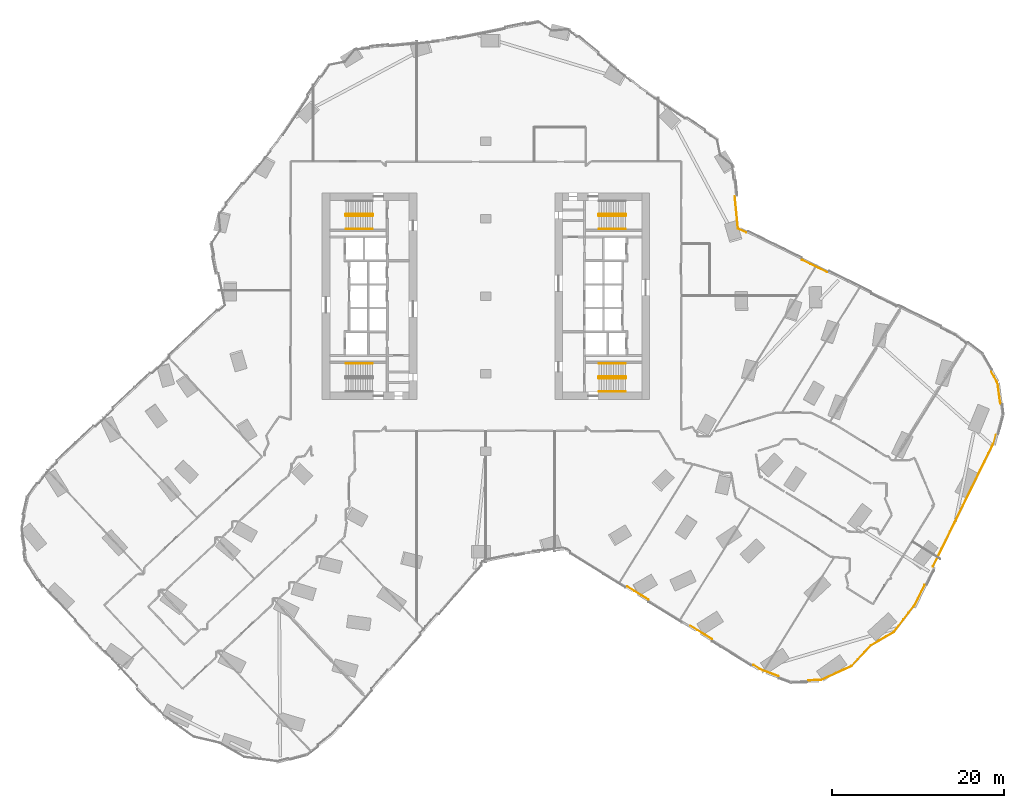
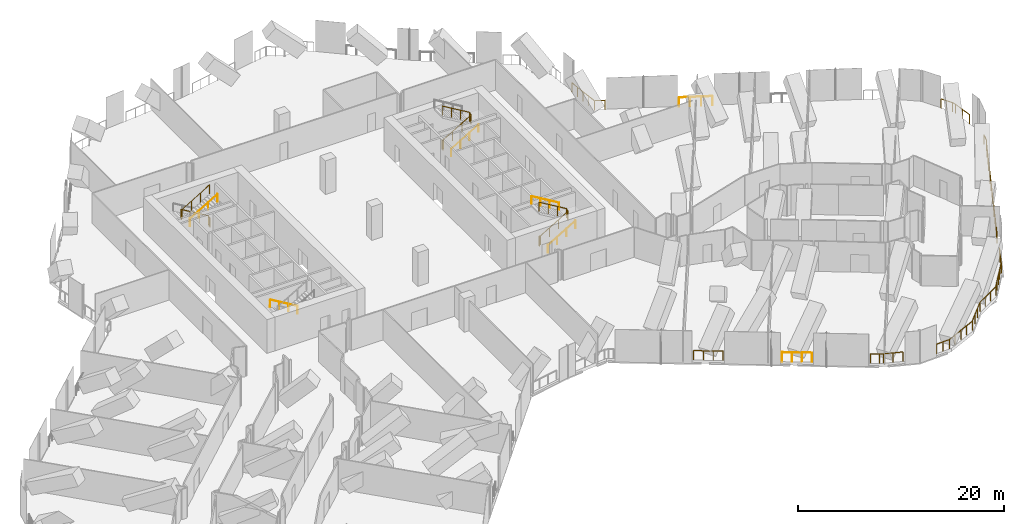
# One storey, part 30 of 31: 18 railings.
"""IFC4 building model written with IfcOpenShell, lengths in metres."""

from ifc_helpers import new_model, si_unit, direction, frame, origin, origin_2d, place, context, subcontext, project, spatial, circle, extrude, material, type_object, element, save


model = new_model("IFC4")

# Units and contexts
model_context = context("Model", 3, precision=1e-05, world=origin(), true_north=direction((0.0, 1.0)))
body_context = subcontext(model_context, "Body", "Model", "MODEL_VIEW")
ifc_project = project(units=[si_unit("LENGTHUNIT", "METRE"), si_unit("AREAUNIT", "SQUARE_METRE"), si_unit("VOLUMEUNIT", "CUBIC_METRE"), si_unit("PLANEANGLEUNIT", "RADIAN"), si_unit("MASSUNIT", "GRAM", prefix="KILO")], contexts=[model_context])

# Site, building, storey
site_placement = place(None, origin())
site = spatial("IfcSite", under=ifc_project, at=site_placement, CompositionType="ELEMENT")
building_placement = place(site_placement, origin())
building = spatial("IfcBuilding", under=site, at=building_placement, Name="Orlundy Tower", CompositionType="ELEMENT")
storey_placement = place(building_placement, frame((0.0, 0.0, 54.800048828125)))
storey = spatial("IfcBuildingStorey", under=building, at=storey_placement, Name="L12", CompositionType="ELEMENT", Elevation=54.800048828125)

# Railings
ifc_material_1 = material(Name="Steel balustrade", Category="steel")
railing_type_1 = type_object("IfcRailingType", Name="Stair Guard 1100", PredefinedType="GUARDRAIL", material=ifc_material_1)
railing_1_placement = place(storey_placement, frame((-13.090087890625, 9.5, 0.0)))
element("IfcRailing", 1, at=railing_1_placement, inside=storey, type_object=railing_type_1, Name="L12 ST-W1 stair guard 1", PredefinedType="GUARDRAIL", context=body_context, shape_type="SweptSolid", body=[
    extrude(circle(Radius=0.02392578125, at=origin_2d()), frame((0.0, 0.0, 1.076171875), z_axis=(0.0, -1.0, 0.0), x_axis=(1.0, 0.0, 0.0)), (0.0, 0.0, 1.0), 0.14990234375),
    extrude(circle(Radius=0.02392578125, at=origin_2d()), frame((0.0, -0.14990234375, 1.076171875), z_axis=(-0.187996396626, 0.754750239394, 0.628497757347), x_axis=(-0.970351222016, -0.241699205484, 0.0)), (0.0, 0.0, 1.0), 0.264892578125),
    extrude(circle(Radius=0.02392578125, at=origin_2d()), frame((-0.0498046875, 0.050048828125, 1.24267578125), z_axis=(-0.85927862911, 0.0, 0.511507807912), x_axis=(0.0, -1.0, 0.0)), (0.0, 0.0, 1.0), 3.58447265625),
    extrude(circle(Radius=0.02392578125, at=origin_2d()), frame((-3.1298828125, 0.050048828125, 3.076171875), z_axis=(-0.707106781187, -0.707106781187, 0.0), x_axis=(0.707106781187, -0.707106781187, 0.0)), (0.0, 0.0, 1.0), 0.07080078125),
    extrude(circle(Radius=0.02392578125, at=origin_2d()), frame((-3.179931640625, 0.0, 3.076171875), z_axis=(0.0, -1.0, 0.0), x_axis=(1.0, 0.0, 0.0)), (0.0, 0.0, 1.0), 0.14990234375),
    extrude(circle(Radius=0.02392578125, at=origin_2d()), frame((-3.179931640625, -0.14990234375, 3.076171875), z_axis=(0.27662974545, -0.27662974545, 0.920299933644), x_axis=(0.707106781187, 0.707106781187, 0.0)), (0.0, 0.0, 1.0), 0.180908203125),
    extrude(circle(Radius=0.02392578125, at=origin_2d()), frame((-3.1298828125, -0.199951171875, 3.24267578125), z_axis=(0.85927862911, 0.0, 0.511507807912), x_axis=(0.0, 1.0, 0.0)), (0.0, 0.0, 1.0), 3.58447265625),
    extrude(circle(Radius=0.02099609375, at=origin_2d()), origin(), (0.0, 0.0, 1.0), 1.052001953125),
    extrude(circle(Radius=0.02099609375, at=origin_2d()), frame((0.0, -0.14990234375, 0.0)), (0.0, 0.0, 1.0), 1.052001953125),
    extrude(circle(Radius=0.02099609375, at=origin_2d()), frame((-0.0498046875, 0.050048828125, 0.16650390625)), (0.0, 0.0, 1.0), 1.052001953125),
    extrude(circle(Radius=0.02099609375, at=origin_2d()), frame((-1.076416015625, 0.050048828125, 0.777587890625)), (0.0, 0.0, 1.0), 1.052001953125),
    extrude(circle(Radius=0.02099609375, at=origin_2d()), frame((-2.103271484375, 0.050048828125, 1.388916015625)), (0.0, 0.0, 1.0), 1.052001953125),
    extrude(circle(Radius=0.02099609375, at=origin_2d()), frame((-3.1298828125, 0.050048828125, 2.0)), (0.0, 0.0, 1.0), 1.052001953125),
    extrude(circle(Radius=0.02099609375, at=origin_2d()), frame((-3.179931640625, 0.0, 2.0)), (0.0, 0.0, 1.0), 1.052001953125),
    extrude(circle(Radius=0.02099609375, at=origin_2d()), frame((-3.179931640625, -0.14990234375, 2.0)), (0.0, 0.0, 1.0), 1.052001953125),
    extrude(circle(Radius=0.02099609375, at=origin_2d()), frame((-3.1298828125, -0.199951171875, 2.16650390625)), (0.0, 0.0, 1.0), 1.052001953125),
    extrude(circle(Radius=0.02099609375, at=origin_2d()), frame((-2.103271484375, -0.199951171875, 2.777587890625)), (0.0, 0.0, 1.0), 1.052001953125),
    extrude(circle(Radius=0.02099609375, at=origin_2d()), frame((-1.076416015625, -0.199951171875, 3.388916015625)), (0.0, 0.0, 1.0), 1.052001953125),
    extrude(circle(Radius=0.02099609375, at=origin_2d()), frame((-0.0498046875, -0.199951171875, 4.0)), (0.0, 0.0, 1.0), 1.052001953125),
])
railing_2_placement = place(storey_placement, frame((13.090087890625, -9.5, 0.0)))
element("IfcRailing", 2, at=railing_2_placement, inside=storey, type_object=railing_type_1, Name="L12 ST-E1 stair guard 1", PredefinedType="GUARDRAIL", context=body_context, shape_type="SweptSolid", body=[
    extrude(circle(Radius=0.02392578125, at=origin_2d()), frame((0.0, 0.0, 1.076171875), z_axis=(0.0, 1.0, 0.0), x_axis=(-1.0, 0.0, 0.0)), (0.0, 0.0, 1.0), 0.14990234375),
    extrude(circle(Radius=0.02392578125, at=origin_2d()), frame((0.0, 0.14990234375, 1.076171875), z_axis=(0.187996396626, -0.754750239394, 0.628497757347), x_axis=(0.970351222016, 0.241699205484, 0.0)), (0.0, 0.0, 1.0), 0.264892578125),
    extrude(circle(Radius=0.02392578125, at=origin_2d()), frame((0.0498046875, -0.050048828125, 1.24267578125), z_axis=(0.85927862911, 0.0, 0.511507807912), x_axis=(0.0, 1.0, 0.0)), (0.0, 0.0, 1.0), 3.58447265625),
    extrude(circle(Radius=0.02392578125, at=origin_2d()), frame((3.1298828125, -0.050048828125, 3.076171875), z_axis=(0.707106781187, 0.707106781187, 0.0), x_axis=(-0.707106781187, 0.707106781187, 0.0)), (0.0, 0.0, 1.0), 0.07080078125),
    extrude(circle(Radius=0.02392578125, at=origin_2d()), frame((3.179931640625, 0.0, 3.076171875), z_axis=(0.0, 1.0, 0.0), x_axis=(-1.0, 0.0, 0.0)), (0.0, 0.0, 1.0), 0.14990234375),
    extrude(circle(Radius=0.02392578125, at=origin_2d()), frame((3.179931640625, 0.14990234375, 3.076171875), z_axis=(-0.27662974545, 0.27662974545, 0.920299933644), x_axis=(-0.707106781187, -0.707106781187, 0.0)), (0.0, 0.0, 1.0), 0.180908203125),
    extrude(circle(Radius=0.02392578125, at=origin_2d()), frame((3.1298828125, 0.199951171875, 3.24267578125), z_axis=(-0.85927862911, 0.0, 0.511507807912), x_axis=(0.0, -1.0, 0.0)), (0.0, 0.0, 1.0), 3.58447265625),
    extrude(circle(Radius=0.02099609375, at=origin_2d()), origin(), (0.0, 0.0, 1.0), 1.052001953125),
    extrude(circle(Radius=0.02099609375, at=origin_2d()), frame((0.0, 0.14990234375, 0.0)), (0.0, 0.0, 1.0), 1.052001953125),
    extrude(circle(Radius=0.02099609375, at=origin_2d()), frame((0.0498046875, -0.050048828125, 0.16650390625)), (0.0, 0.0, 1.0), 1.052001953125),
    extrude(circle(Radius=0.02099609375, at=origin_2d()), frame((1.076416015625, -0.050048828125, 0.777587890625)), (0.0, 0.0, 1.0), 1.052001953125),
    extrude(circle(Radius=0.02099609375, at=origin_2d()), frame((2.103271484375, -0.050048828125, 1.388916015625)), (0.0, 0.0, 1.0), 1.052001953125),
    extrude(circle(Radius=0.02099609375, at=origin_2d()), frame((3.1298828125, -0.050048828125, 2.0)), (0.0, 0.0, 1.0), 1.052001953125),
    extrude(circle(Radius=0.02099609375, at=origin_2d()), frame((3.179931640625, 0.0, 2.0)), (0.0, 0.0, 1.0), 1.052001953125),
    extrude(circle(Radius=0.02099609375, at=origin_2d()), frame((3.179931640625, 0.14990234375, 2.0)), (0.0, 0.0, 1.0), 1.052001953125),
    extrude(circle(Radius=0.02099609375, at=origin_2d()), frame((3.1298828125, 0.199951171875, 2.16650390625)), (0.0, 0.0, 1.0), 1.052001953125),
    extrude(circle(Radius=0.02099609375, at=origin_2d()), frame((2.103271484375, 0.199951171875, 2.777587890625)), (0.0, 0.0, 1.0), 1.052001953125),
    extrude(circle(Radius=0.02099609375, at=origin_2d()), frame((1.076416015625, 0.199951171875, 3.388916015625)), (0.0, 0.0, 1.0), 1.052001953125),
    extrude(circle(Radius=0.02099609375, at=origin_2d()), frame((0.0498046875, 0.199951171875, 4.0)), (0.0, 0.0, 1.0), 1.052001953125),
])
railing_3_placement = place(storey_placement, frame((13.090087890625, 9.35009765625, 0.0)))
element("IfcRailing", 3, at=railing_3_placement, inside=storey, type_object=railing_type_1, Name="L12 ST-E2 stair guard 1", PredefinedType="GUARDRAIL", context=body_context, shape_type="SweptSolid", body=[
    extrude(circle(Radius=0.02392578125, at=origin_2d()), frame((0.0, 0.0, 1.076171875), z_axis=(0.0, 1.0, 0.0), x_axis=(-1.0, 0.0, 0.0)), (0.0, 0.0, 1.0), 0.14990234375),
    extrude(circle(Radius=0.02392578125, at=origin_2d()), frame((0.0, 0.14990234375, 1.076171875), z_axis=(0.187996396626, -0.754750239394, 0.628497757347), x_axis=(0.970351222016, 0.241699205484, 0.0)), (0.0, 0.0, 1.0), 0.264892578125),
    extrude(circle(Radius=0.02392578125, at=origin_2d()), frame((0.0498046875, -0.050048828125, 1.24267578125), z_axis=(0.85927862911, 0.0, 0.511507807912), x_axis=(0.0, 1.0, 0.0)), (0.0, 0.0, 1.0), 3.58447265625),
    extrude(circle(Radius=0.02392578125, at=origin_2d()), frame((3.1298828125, -0.050048828125, 3.076171875), z_axis=(0.707106781187, 0.707106781187, 0.0), x_axis=(-0.707106781187, 0.707106781187, 0.0)), (0.0, 0.0, 1.0), 0.07080078125),
    extrude(circle(Radius=0.02392578125, at=origin_2d()), frame((3.179931640625, 0.0, 3.076171875), z_axis=(0.0, 1.0, 0.0), x_axis=(-1.0, 0.0, 0.0)), (0.0, 0.0, 1.0), 0.14990234375),
    extrude(circle(Radius=0.02392578125, at=origin_2d()), frame((3.179931640625, 0.14990234375, 3.076171875), z_axis=(-0.27662974545, 0.27662974545, 0.920299933644), x_axis=(-0.707106781187, -0.707106781187, 0.0)), (0.0, 0.0, 1.0), 0.180908203125),
    extrude(circle(Radius=0.02392578125, at=origin_2d()), frame((3.1298828125, 0.199951171875, 3.24267578125), z_axis=(-0.85927862911, 0.0, 0.511507807912), x_axis=(0.0, -1.0, 0.0)), (0.0, 0.0, 1.0), 3.58447265625),
    extrude(circle(Radius=0.02099609375, at=origin_2d()), origin(), (0.0, 0.0, 1.0), 1.052001953125),
    extrude(circle(Radius=0.02099609375, at=origin_2d()), frame((0.0, 0.14990234375, 0.0)), (0.0, 0.0, 1.0), 1.052001953125),
    extrude(circle(Radius=0.02099609375, at=origin_2d()), frame((0.0498046875, -0.050048828125, 0.16650390625)), (0.0, 0.0, 1.0), 1.052001953125),
    extrude(circle(Radius=0.02099609375, at=origin_2d()), frame((1.076416015625, -0.050048828125, 0.777587890625)), (0.0, 0.0, 1.0), 1.052001953125),
    extrude(circle(Radius=0.02099609375, at=origin_2d()), frame((2.103271484375, -0.050048828125, 1.388916015625)), (0.0, 0.0, 1.0), 1.052001953125),
    extrude(circle(Radius=0.02099609375, at=origin_2d()), frame((3.1298828125, -0.050048828125, 2.0)), (0.0, 0.0, 1.0), 1.052001953125),
    extrude(circle(Radius=0.02099609375, at=origin_2d()), frame((3.179931640625, 0.0, 2.0)), (0.0, 0.0, 1.0), 1.052001953125),
    extrude(circle(Radius=0.02099609375, at=origin_2d()), frame((3.179931640625, 0.14990234375, 2.0)), (0.0, 0.0, 1.0), 1.052001953125),
    extrude(circle(Radius=0.02099609375, at=origin_2d()), frame((3.1298828125, 0.199951171875, 2.16650390625)), (0.0, 0.0, 1.0), 1.052001953125),
    extrude(circle(Radius=0.02099609375, at=origin_2d()), frame((2.103271484375, 0.199951171875, 2.777587890625)), (0.0, 0.0, 1.0), 1.052001953125),
    extrude(circle(Radius=0.02099609375, at=origin_2d()), frame((1.076416015625, 0.199951171875, 3.388916015625)), (0.0, 0.0, 1.0), 1.052001953125),
    extrude(circle(Radius=0.02099609375, at=origin_2d()), frame((0.0498046875, 0.199951171875, 4.0)), (0.0, 0.0, 1.0), 1.052001953125),
])
ifc_material_2 = material(Name="Steel handrail", Category="steel")
railing_type_2 = type_object("IfcRailingType", Name="Stair Handrail 900", PredefinedType="HANDRAIL", material=ifc_material_2)
railing_4_placement = place(storey_placement, frame((-16.219970703125, 7.800048828125, 2.16650390625)))
element("IfcRailing", 4, at=railing_4_placement, inside=storey, type_object=railing_type_2, Name="L12 ST-W1 stair handrail 2", PredefinedType="HANDRAIL", context=body_context, shape_type="SweptSolid", body=[
    extrude(circle(Radius=0.02392578125, at=origin_2d()), frame((0.0, 0.0, 0.8759765625), z_axis=(0.85927862911, 0.0, 0.511507807912), x_axis=(0.0, 1.0, 0.0)), (0.0, 0.0, 1.0), 3.58447265625),
    extrude(circle(Radius=0.02099609375, at=origin_2d()), origin(), (0.0, 0.0, 1.0), 0.851806640625),
    extrude(circle(Radius=0.02099609375, at=origin_2d()), frame((1.026611328125, 0.0, 0.611083984375)), (0.0, 0.0, 1.0), 0.851806640625),
    extrude(circle(Radius=0.02099609375, at=origin_2d()), frame((2.053466796875, 0.0, 1.222412109375)), (0.0, 0.0, 1.0), 0.851806640625),
    extrude(circle(Radius=0.02099609375, at=origin_2d()), frame((3.080078125, 0.0, 1.83349609375)), (0.0, 0.0, 1.0), 0.851806640625),
])
railing_5_placement = place(storey_placement, frame((-13.139892578125, -7.800048828125, 0.16650390625)))
element("IfcRailing", 5, at=railing_5_placement, inside=storey, type_object=railing_type_2, Name="L12 ST-W2 stair handrail 1", PredefinedType="HANDRAIL", context=body_context, shape_type="SweptSolid", body=[
    extrude(circle(Radius=0.02392578125, at=origin_2d()), frame((0.0, 0.0, 0.8759765625), z_axis=(-0.85927862911, 0.0, 0.511507807912), x_axis=(0.0, -1.0, 0.0)), (0.0, 0.0, 1.0), 3.58447265625),
    extrude(circle(Radius=0.02099609375, at=origin_2d()), origin(), (0.0, 0.0, 1.0), 0.851806640625),
    extrude(circle(Radius=0.02099609375, at=origin_2d()), frame((-1.026611328125, 0.0, 0.611083984375)), (0.0, 0.0, 1.0), 0.851806640625),
    extrude(circle(Radius=0.02099609375, at=origin_2d()), frame((-2.053466796875, 0.0, 1.222412109375)), (0.0, 0.0, 1.0), 0.851806640625),
    extrude(circle(Radius=0.02099609375, at=origin_2d()), frame((-3.080078125, 0.0, 1.83349609375)), (0.0, 0.0, 1.0), 0.851806640625),
])
railing_6_placement = place(storey_placement, frame((13.139892578125, -11.050048828125, 0.16650390625)))
element("IfcRailing", 6, at=railing_6_placement, inside=storey, type_object=railing_type_2, Name="L12 ST-E1 stair handrail 1", PredefinedType="HANDRAIL", context=body_context, shape_type="SweptSolid", body=[
    extrude(circle(Radius=0.02392578125, at=origin_2d()), frame((0.0, 0.0, 0.8759765625), z_axis=(0.85927862911, 0.0, 0.511507807912), x_axis=(0.0, 1.0, 0.0)), (0.0, 0.0, 1.0), 3.58447265625),
    extrude(circle(Radius=0.02099609375, at=origin_2d()), origin(), (0.0, 0.0, 1.0), 0.851806640625),
    extrude(circle(Radius=0.02099609375, at=origin_2d()), frame((1.026611328125, 0.0, 0.611083984375)), (0.0, 0.0, 1.0), 0.851806640625),
    extrude(circle(Radius=0.02099609375, at=origin_2d()), frame((2.053466796875, 0.0, 1.222412109375)), (0.0, 0.0, 1.0), 0.851806640625),
    extrude(circle(Radius=0.02099609375, at=origin_2d()), frame((3.080078125, 0.0, 1.83349609375)), (0.0, 0.0, 1.0), 0.851806640625),
])
railing_7_placement = place(storey_placement, frame((16.219970703125, -7.800048828125, 2.16650390625)))
element("IfcRailing", 7, at=railing_7_placement, inside=storey, type_object=railing_type_2, Name="L12 ST-E1 stair handrail 2", PredefinedType="HANDRAIL", context=body_context, shape_type="SweptSolid", body=[
    extrude(circle(Radius=0.02392578125, at=origin_2d()), frame((0.0, 0.0, 0.8759765625), z_axis=(-0.85927862911, 0.0, 0.511507807912), x_axis=(0.0, -1.0, 0.0)), (0.0, 0.0, 1.0), 3.58447265625),
    extrude(circle(Radius=0.02099609375, at=origin_2d()), origin(), (0.0, 0.0, 1.0), 0.851806640625),
    extrude(circle(Radius=0.02099609375, at=origin_2d()), frame((-1.026611328125, 0.0, 0.611083984375)), (0.0, 0.0, 1.0), 0.851806640625),
    extrude(circle(Radius=0.02099609375, at=origin_2d()), frame((-2.053466796875, 0.0, 1.222412109375)), (0.0, 0.0, 1.0), 0.851806640625),
    extrude(circle(Radius=0.02099609375, at=origin_2d()), frame((-3.080078125, 0.0, 1.83349609375)), (0.0, 0.0, 1.0), 0.851806640625),
])
railing_8_placement = place(storey_placement, frame((13.139892578125, 7.800048828125, 0.16650390625)))
element("IfcRailing", 8, at=railing_8_placement, inside=storey, type_object=railing_type_2, Name="L12 ST-E2 stair handrail 1", PredefinedType="HANDRAIL", context=body_context, shape_type="SweptSolid", body=[
    extrude(circle(Radius=0.02392578125, at=origin_2d()), frame((0.0, 0.0, 0.8759765625), z_axis=(0.85927862911, 0.0, 0.511507807912), x_axis=(0.0, 1.0, 0.0)), (0.0, 0.0, 1.0), 3.58447265625),
    extrude(circle(Radius=0.02099609375, at=origin_2d()), origin(), (0.0, 0.0, 1.0), 0.851806640625),
    extrude(circle(Radius=0.02099609375, at=origin_2d()), frame((1.026611328125, 0.0, 0.611083984375)), (0.0, 0.0, 1.0), 0.851806640625),
    extrude(circle(Radius=0.02099609375, at=origin_2d()), frame((2.053466796875, 0.0, 1.222412109375)), (0.0, 0.0, 1.0), 0.851806640625),
    extrude(circle(Radius=0.02099609375, at=origin_2d()), frame((3.080078125, 0.0, 1.83349609375)), (0.0, 0.0, 1.0), 0.851806640625),
])
ifc_material_3 = material(Name="Stainless steel bronze finish", Category="steel")
railing_type_3 = type_object("IfcRailingType", Name="TG1 terrace guard", PredefinedType="GUARDRAIL", material=ifc_material_3)
railing_9_placement = place(storey_placement, frame((59.19384765625, -16.109619140625, 0.0)))
element("IfcRailing", 9, at=railing_9_placement, inside=storey, type_object=railing_type_3, Name="Guard TG-L12-E00", PredefinedType="GUARDRAIL", context=body_context, shape_type="SweptSolid", body=[
    extrude(circle(Radius=0.02490234375, at=origin_2d()), frame((0.0, 0.0, 1.09521484375), z_axis=(-0.2572265556, -0.966351126193, 0.0), x_axis=(0.966351126193, -0.2572265556, 0.0)), (0.0, 0.0, 1.0), 0.9755859375),
    extrude(circle(Radius=0.02490234375, at=origin_2d()), frame((-0.2509765625, -0.94287109375, 1.09521484375), z_axis=(-0.625003581566, -0.780621882239, 0.0), x_axis=(0.780621882239, -0.625003581566, 0.0)), (0.0, 0.0, 1.0), 0.19287109375),
    extrude(circle(Radius=0.02490234375, at=origin_2d()), frame((-0.37158203125, -1.093505859375, 1.09521484375), z_axis=(-0.44101473453, -0.897499862912, 0.0), x_axis=(0.897499862912, -0.44101473453, 0.0)), (0.0, 0.0, 1.0), 15.74951171875),
    extrude(circle(Radius=0.02001953125, at=origin_2d()), origin(), (0.0, 0.0, 1.0), 1.070068359375),
    extrude(circle(Radius=0.02001953125, at=origin_2d()), frame((-0.2509765625, -0.94287109375, 0.0)), (0.0, 0.0, 1.0), 1.070068359375),
    extrude(circle(Radius=0.02001953125, at=origin_2d()), frame((-0.37158203125, -1.093505859375, 0.0)), (0.0, 0.0, 1.0), 1.070068359375),
    extrude(circle(Radius=0.02001953125, at=origin_2d()), frame((-0.86767578125, -2.103271484375, 0.0)), (0.0, 0.0, 1.0), 1.070068359375),
    extrude(circle(Radius=0.02001953125, at=origin_2d()), frame((-1.36376953125, -3.11279296875, 0.0)), (0.0, 0.0, 1.0), 1.070068359375),
    extrude(circle(Radius=0.02001953125, at=origin_2d()), frame((-1.85986328125, -4.12255859375, 0.0)), (0.0, 0.0, 1.0), 1.070068359375),
    extrude(circle(Radius=0.02001953125, at=origin_2d()), frame((-2.356201171875, -5.132080078125, 0.0)), (0.0, 0.0, 1.0), 1.070068359375),
    extrude(circle(Radius=0.02001953125, at=origin_2d()), frame((-2.852294921875, -6.141845703125, 0.0)), (0.0, 0.0, 1.0), 1.070068359375),
    extrude(circle(Radius=0.02001953125, at=origin_2d()), frame((-3.348388671875, -7.1513671875, 0.0)), (0.0, 0.0, 1.0), 1.070068359375),
    extrude(circle(Radius=0.02001953125, at=origin_2d()), frame((-3.844482421875, -8.1611328125, 0.0)), (0.0, 0.0, 1.0), 1.070068359375),
    extrude(circle(Radius=0.02001953125, at=origin_2d()), frame((-4.340576171875, -9.1708984375, 0.0)), (0.0, 0.0, 1.0), 1.070068359375),
    extrude(circle(Radius=0.02001953125, at=origin_2d()), frame((-4.836669921875, -10.180419921875, 0.0)), (0.0, 0.0, 1.0), 1.070068359375),
    extrude(circle(Radius=0.02001953125, at=origin_2d()), frame((-5.332763671875, -11.190185546875, 0.0)), (0.0, 0.0, 1.0), 1.070068359375),
    extrude(circle(Radius=0.02001953125, at=origin_2d()), frame((-5.8291015625, -12.19970703125, 0.0)), (0.0, 0.0, 1.0), 1.070068359375),
    extrude(circle(Radius=0.02001953125, at=origin_2d()), frame((-6.3251953125, -13.20947265625, 0.0)), (0.0, 0.0, 1.0), 1.070068359375),
    extrude(circle(Radius=0.02001953125, at=origin_2d()), frame((-6.8212890625, -14.218994140625, 0.0)), (0.0, 0.0, 1.0), 1.070068359375),
    extrude(circle(Radius=0.02001953125, at=origin_2d()), frame((-7.3173828125, -15.228759765625, 0.0)), (0.0, 0.0, 1.0), 1.070068359375),
])
railing_10_placement = place(storey_placement, frame((50.907958984375, -33.4912109375, 0.0)))
element("IfcRailing", 10, at=railing_10_placement, inside=storey, type_object=railing_type_3, Name="Guard TG-L12-E05", PredefinedType="GUARDRAIL", context=body_context, shape_type="SweptSolid", body=[
    extrude(circle(Radius=0.02490234375, at=origin_2d()), frame((0.0, 0.0, 1.09521484375), z_axis=(-0.441069303416, -0.897473046717, 0.0), x_axis=(0.897473046717, -0.441069303416, 0.0)), (0.0, 0.0, 1.0), 2.690673828125),
    extrude(circle(Radius=0.02490234375, at=origin_2d()), frame((-1.186767578125, -2.414794921875, 1.09521484375), z_axis=(-0.765305343098, -0.643667407771, 0.0), x_axis=(0.643667407771, -0.765305343098, 0.0)), (0.0, 0.0, 1.0), 0.192626953125),
    extrude(circle(Radius=0.02490234375, at=origin_2d()), frame((-1.334228515625, -2.538818359375, 1.09521484375), z_axis=(-0.607578054435, -0.794259974925, 0.0), x_axis=(0.794259974925, -0.607578054435, 0.0)), (0.0, 0.0, 1.0), 3.6826171875),
    extrude(circle(Radius=0.02001953125, at=origin_2d()), origin(), (0.0, 0.0, 1.0), 1.070068359375),
    extrude(circle(Radius=0.02001953125, at=origin_2d()), frame((-0.3955078125, -0.804931640625, 0.0)), (0.0, 0.0, 1.0), 1.070068359375),
    extrude(circle(Radius=0.02001953125, at=origin_2d()), frame((-0.791259765625, -1.60986328125, 0.0)), (0.0, 0.0, 1.0), 1.070068359375),
    extrude(circle(Radius=0.02001953125, at=origin_2d()), frame((-1.186767578125, -2.414794921875, 0.0)), (0.0, 0.0, 1.0), 1.070068359375),
    extrude(circle(Radius=0.02001953125, at=origin_2d()), frame((-1.334228515625, -2.538818359375, 0.0)), (0.0, 0.0, 1.0), 1.070068359375),
    extrude(circle(Radius=0.02001953125, at=origin_2d()), frame((-1.8935546875, -3.27001953125, 0.0)), (0.0, 0.0, 1.0), 1.070068359375),
    extrude(circle(Radius=0.02001953125, at=origin_2d()), frame((-2.453125, -4.00146484375, 0.0)), (0.0, 0.0, 1.0), 1.070068359375),
    extrude(circle(Radius=0.02001953125, at=origin_2d()), frame((-3.012451171875, -4.732666015625, 0.0)), (0.0, 0.0, 1.0), 1.070068359375),
    extrude(circle(Radius=0.02001953125, at=origin_2d()), frame((-3.57177734375, -5.4638671875, 0.0)), (0.0, 0.0, 1.0), 1.070068359375),
])
railing_11_placement = place(storey_placement, frame((47.336181640625, -38.955078125, 0.0)))
element("IfcRailing", 11, at=railing_11_placement, inside=storey, type_object=railing_type_3, Name="Guard TG-L12-E08", PredefinedType="GUARDRAIL", context=body_context, shape_type="SweptSolid", body=[
    extrude(circle(Radius=0.02490234375, at=origin_2d()), frame((0.0, 0.0, 1.09521484375), z_axis=(-0.864344617394, -0.502899972542, 0.0), x_axis=(0.502899972542, -0.864344617394, 0.0)), (0.0, 0.0, 1.0), 3.11181640625),
    extrude(circle(Radius=0.02490234375, at=origin_2d()), frame((-2.689697265625, -1.56494140625, 1.09521484375), z_axis=(-0.683236628893, -0.730197034326, 0.0), x_axis=(0.730197034326, -0.683236628893, 0.0)), (0.0, 0.0, 1.0), 3.275390625),
    extrude(circle(Radius=0.02001953125, at=origin_2d()), origin(), (0.0, 0.0, 1.0), 1.070068359375),
    extrude(circle(Radius=0.02001953125, at=origin_2d()), frame((-0.896484375, -0.521728515625, 0.0)), (0.0, 0.0, 1.0), 1.070068359375),
    extrude(circle(Radius=0.02001953125, at=origin_2d()), frame((-1.793212890625, -1.043212890625, 0.0)), (0.0, 0.0, 1.0), 1.070068359375),
    extrude(circle(Radius=0.02001953125, at=origin_2d()), frame((-2.689697265625, -1.56494140625, 0.0)), (0.0, 0.0, 1.0), 1.070068359375),
    extrude(circle(Radius=0.02001953125, at=origin_2d()), frame((-3.435546875, -2.362060546875, 0.0)), (0.0, 0.0, 1.0), 1.070068359375),
    extrude(circle(Radius=0.02001953125, at=origin_2d()), frame((-4.181640625, -3.159423828125, 0.0)), (0.0, 0.0, 1.0), 1.070068359375),
    extrude(circle(Radius=0.02001953125, at=origin_2d()), frame((-4.927490234375, -3.95654296875, 0.0)), (0.0, 0.0, 1.0), 1.070068359375),
])
railing_12_placement = place(storey_placement, frame((42.40869140625, -42.91162109375, 0.0)))
element("IfcRailing", 12, at=railing_12_placement, inside=storey, type_object=railing_type_3, Name="Guard TG-L12-E013", PredefinedType="GUARDRAIL", context=body_context, shape_type="SweptSolid", body=[
    extrude(circle(Radius=0.02490234375, at=origin_2d()), frame((0.0, 0.0, 1.09521484375), z_axis=(-0.909875298273, -0.414881840519, 0.0), x_axis=(0.414881840519, -0.909875298273, 0.0)), (0.0, 0.0, 1.0), 3.85205078125),
    extrude(circle(Radius=0.02490234375, at=origin_2d()), frame((-3.5048828125, -1.59814453125, 1.09521484375), z_axis=(-0.999443264039, -0.033364081993, 0.0), x_axis=(0.033364081993, -0.999443264039, 0.0)), (0.0, 0.0, 1.0), 1.4853515625),
    extrude(circle(Radius=0.02001953125, at=origin_2d()), origin(), (0.0, 0.0, 1.0), 1.070068359375),
    extrude(circle(Radius=0.02001953125, at=origin_2d()), frame((-0.876220703125, -0.3994140625, 0.0)), (0.0, 0.0, 1.0), 1.070068359375),
    extrude(circle(Radius=0.02001953125, at=origin_2d()), frame((-1.75244140625, -0.799072265625, 0.0)), (0.0, 0.0, 1.0), 1.070068359375),
    extrude(circle(Radius=0.02001953125, at=origin_2d()), frame((-2.628662109375, -1.19873046875, 0.0)), (0.0, 0.0, 1.0), 1.070068359375),
    extrude(circle(Radius=0.02001953125, at=origin_2d()), frame((-3.5048828125, -1.59814453125, 0.0)), (0.0, 0.0, 1.0), 1.070068359375),
    extrude(circle(Radius=0.02001953125, at=origin_2d()), frame((-4.2470703125, -1.623046875, 0.0)), (0.0, 0.0, 1.0), 1.070068359375),
    extrude(circle(Radius=0.02001953125, at=origin_2d()), frame((-4.989501953125, -1.647705078125, 0.0)), (0.0, 0.0, 1.0), 1.070068359375),
])
railing_13_placement = place(storey_placement, frame((28.877685546875, 11.5791015625, 0.0)))
element("IfcRailing", 13, at=railing_13_placement, inside=storey, type_object=railing_type_3, Name="Guard TG-L12-E019", PredefinedType="GUARDRAIL", context=body_context, shape_type="SweptSolid", body=[
    extrude(circle(Radius=0.02490234375, at=origin_2d()), frame((0.0, 0.0, 1.09521484375), z_axis=(0.098750601248, -0.995112214151, 0.0), x_axis=(0.995112214151, 0.098750601248, 0.0)), (0.0, 0.0, 1.0), 3.75537109375),
    extrude(circle(Radius=0.02490234375, at=origin_2d()), frame((0.370849609375, -3.737060546875, 1.09521484375), z_axis=(0.907122807438, -0.420866026457, 0.0), x_axis=(0.420866026457, 0.907122807438, 0.0)), (0.0, 0.0, 1.0), 1.052978515625),
    extrude(circle(Radius=0.02001953125, at=origin_2d()), origin(), (0.0, 0.0, 1.0), 1.070068359375),
    extrude(circle(Radius=0.02001953125, at=origin_2d()), frame((0.0927734375, -0.934326171875, 0.0)), (0.0, 0.0, 1.0), 1.070068359375),
    extrude(circle(Radius=0.02001953125, at=origin_2d()), frame((0.185546875, -1.86865234375, 0.0)), (0.0, 0.0, 1.0), 1.070068359375),
    extrude(circle(Radius=0.02001953125, at=origin_2d()), frame((0.278076171875, -2.802734375, 0.0)), (0.0, 0.0, 1.0), 1.070068359375),
    extrude(circle(Radius=0.02001953125, at=origin_2d()), frame((0.370849609375, -3.737060546875, 0.0)), (0.0, 0.0, 1.0), 1.070068359375),
    extrude(circle(Radius=0.02001953125, at=origin_2d()), frame((1.325927734375, -4.18017578125, 0.0)), (0.0, 0.0, 1.0), 1.070068359375),
])
railing_14_placement = place(storey_placement, frame((58.6259765625, -8.751708984375, 0.0)))
element("IfcRailing", 14, at=railing_14_placement, inside=storey, type_object=railing_type_3, Name="Guard TG-L12-E024", PredefinedType="GUARDRAIL", context=body_context, shape_type="SweptSolid", body=[
    extrude(circle(Radius=0.02490234375, at=origin_2d()), frame((0.0, 0.0, 1.09521484375), z_axis=(0.501013456167, -0.865439493402, 0.0), x_axis=(0.865439493402, 0.501013456167, 0.0)), (0.0, 0.0, 1.0), 1.265380859375),
    extrude(circle(Radius=0.02490234375, at=origin_2d()), frame((0.634033203125, -1.09521484375, 1.09521484375), z_axis=(0.322634354373, -0.946523678192, 0.0), x_axis=(0.946523678192, 0.322634354373, 0.0)), (0.0, 0.0, 1.0), 0.376953125),
    extrude(circle(Radius=0.02490234375, at=origin_2d()), frame((0.755615234375, -1.451904296875, 1.09521484375), z_axis=(0.132007022838, -0.991248781044, 0.0), x_axis=(0.991248781044, 0.132007022838, 0.0)), (0.0, 0.0, 1.0), 2.2451171875),
    extrude(circle(Radius=0.02001953125, at=origin_2d()), origin(), (0.0, 0.0, 1.0), 1.070068359375),
    extrude(circle(Radius=0.02001953125, at=origin_2d()), frame((0.31689453125, -0.547607421875, 0.0)), (0.0, 0.0, 1.0), 1.070068359375),
    extrude(circle(Radius=0.02001953125, at=origin_2d()), frame((0.634033203125, -1.09521484375, 0.0)), (0.0, 0.0, 1.0), 1.070068359375),
    extrude(circle(Radius=0.02001953125, at=origin_2d()), frame((0.755615234375, -1.451904296875, 0.0)), (0.0, 0.0, 1.0), 1.070068359375),
    extrude(circle(Radius=0.02001953125, at=origin_2d()), frame((0.90380859375, -2.564697265625, 0.0)), (0.0, 0.0, 1.0), 1.070068359375),
    extrude(circle(Radius=0.02001953125, at=origin_2d()), frame((1.052001953125, -3.677490234375, 0.0)), (0.0, 0.0, 1.0), 1.070068359375),
])
railing_15_placement = place(storey_placement, frame((36.66796875, 4.22265625, 0.0)))
element("IfcRailing", 15, at=railing_15_placement, inside=storey, type_object=railing_type_3, Name="Guard TG-L12-E027", PredefinedType="GUARDRAIL", context=body_context, shape_type="SweptSolid", body=[
    extrude(circle(Radius=0.02490234375, at=origin_2d()), frame((0.0, 0.0, 1.09521484375), z_axis=(0.897498042439, -0.441018439318, 0.0), x_axis=(0.441018439318, 0.897498042439, 0.0)), (0.0, 0.0, 1.0), 3.2529296875),
    extrude(circle(Radius=0.02001953125, at=origin_2d()), origin(), (0.0, 0.0, 1.0), 1.070068359375),
    extrude(circle(Radius=0.02001953125, at=origin_2d()), frame((0.97314453125, -0.478271484375, 0.0)), (0.0, 0.0, 1.0), 1.070068359375),
    extrude(circle(Radius=0.02001953125, at=origin_2d()), frame((1.9462890625, -0.956298828125, 0.0)), (0.0, 0.0, 1.0), 1.070068359375),
    extrude(circle(Radius=0.02001953125, at=origin_2d()), frame((2.91943359375, -1.4345703125, 0.0)), (0.0, 0.0, 1.0), 1.070068359375),
])
railing_16_placement = place(storey_placement, frame((33.935546875, -44.074462890625, 0.0)))
element("IfcRailing", 16, at=railing_16_placement, inside=storey, type_object=railing_type_3, Name="Guard TG-L12-E030", PredefinedType="GUARDRAIL", context=body_context, shape_type="SweptSolid", body=[
    extrude(circle(Radius=0.02490234375, at=origin_2d()), frame((0.0, 0.0, 1.09521484375), z_axis=(-0.936172902834, 0.351539892472, 0.0), x_axis=(-0.351539892472, -0.936172902834, 0.0)), (0.0, 0.0, 1.0), 1.92724609375),
    extrude(circle(Radius=0.02490234375, at=origin_2d()), frame((-1.80419921875, 0.677490234375, 1.09521484375), z_axis=(-0.897163047644, 0.44169951997, 0.0), x_axis=(-0.44169951997, -0.897163047644, 0.0)), (0.0, 0.0, 1.0), 0.39013671875),
    extrude(circle(Radius=0.02490234375, at=origin_2d()), frame((-2.154296875, 0.849853515625, 1.09521484375), z_axis=(-0.849515137036, 0.527564244379, 0.0), x_axis=(-0.527564244379, -0.849515137036, 0.0)), (0.0, 0.0, 1.0), 0.875),
    extrude(circle(Radius=0.02001953125, at=origin_2d()), origin(), (0.0, 0.0, 1.0), 1.070068359375),
    extrude(circle(Radius=0.02001953125, at=origin_2d()), frame((-0.902099609375, 0.3388671875, 0.0)), (0.0, 0.0, 1.0), 1.070068359375),
    extrude(circle(Radius=0.02001953125, at=origin_2d()), frame((-1.80419921875, 0.677490234375, 0.0)), (0.0, 0.0, 1.0), 1.070068359375),
    extrude(circle(Radius=0.02001953125, at=origin_2d()), frame((-2.154296875, 0.849853515625, 0.0)), (0.0, 0.0, 1.0), 1.070068359375),
    extrude(circle(Radius=0.02001953125, at=origin_2d()), frame((-2.897705078125, 1.3115234375, 0.0)), (0.0, 0.0, 1.0), 1.070068359375),
])
railing_17_placement = place(storey_placement, frame((26.223388671875, -39.77392578125, 0.0)))
element("IfcRailing", 17, at=railing_17_placement, inside=storey, type_object=railing_type_3, Name="Guard TG-L12-E031", PredefinedType="GUARDRAIL", context=body_context, shape_type="SweptSolid", body=[
    extrude(circle(Radius=0.02490234375, at=origin_2d()), frame((0.0, 0.0, 1.09521484375), z_axis=(-0.849619672364, 0.527395878191, 0.0), x_axis=(-0.527395878191, -0.849619672364, 0.0)), (0.0, 0.0, 1.0), 2.945068359375),
    extrude(circle(Radius=0.02001953125, at=origin_2d()), origin(), (0.0, 0.0, 1.0), 1.070068359375),
    extrude(circle(Radius=0.02001953125, at=origin_2d()), frame((-0.833984375, 0.517822265625, 0.0)), (0.0, 0.0, 1.0), 1.070068359375),
    extrude(circle(Radius=0.02001953125, at=origin_2d()), frame((-1.668212890625, 1.035400390625, 0.0)), (0.0, 0.0, 1.0), 1.070068359375),
    extrude(circle(Radius=0.02001953125, at=origin_2d()), frame((-2.502197265625, 1.55322265625, 0.0)), (0.0, 0.0, 1.0), 1.070068359375),
])
railing_18_placement = place(storey_placement, frame((18.853515625, -35.198486328125, 0.0)))
element("IfcRailing", 18, at=railing_18_placement, inside=storey, type_object=railing_type_3, Name="Guard TG-L12-E033", PredefinedType="GUARDRAIL", context=body_context, shape_type="SweptSolid", body=[
    extrude(circle(Radius=0.02490234375, at=origin_2d()), frame((0.0, 0.0, 1.09521484375), z_axis=(-0.849607258249, 0.527415876449, 0.0), x_axis=(-0.527415876449, -0.849607258249, 0.0)), (0.0, 0.0, 1.0), 2.86572265625),
    extrude(circle(Radius=0.02001953125, at=origin_2d()), origin(), (0.0, 0.0, 1.0), 1.070068359375),
    extrude(circle(Radius=0.02001953125, at=origin_2d()), frame((-0.8115234375, 0.50390625, 0.0)), (0.0, 0.0, 1.0), 1.070068359375),
    extrude(circle(Radius=0.02001953125, at=origin_2d()), frame((-1.623291015625, 1.007568359375, 0.0)), (0.0, 0.0, 1.0), 1.070068359375),
    extrude(circle(Radius=0.02001953125, at=origin_2d()), frame((-2.434814453125, 1.511474609375, 0.0)), (0.0, 0.0, 1.0), 1.070068359375),
])

save(model, "model.ifc")
